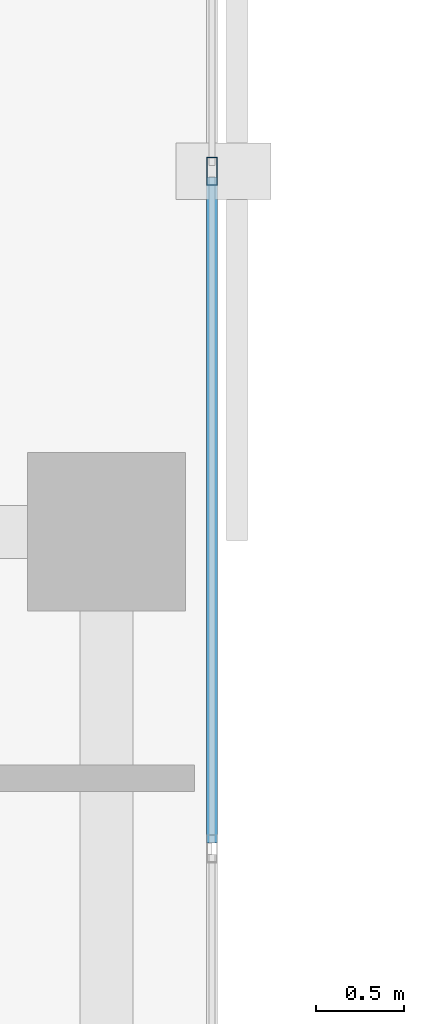
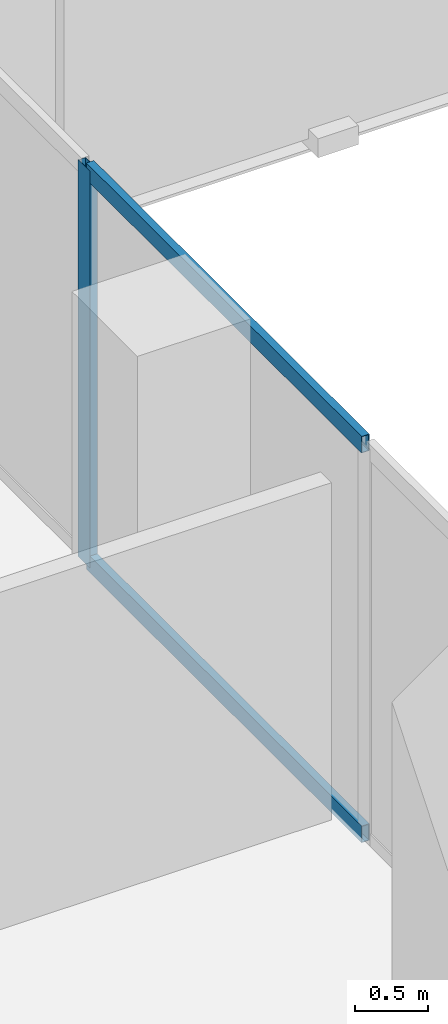
# One storey, part 8 of 34: 3 members, 1 element without a shape of its own.
"""IFC4 building model written with IfcOpenShell, lengths in metres."""

from ifc_helpers import new_model, si_unit, direction, frame, origin, origin_2d, place, context, subcontext, project, spatial, hollow_rectangle, extrude, material, layer, layer_set, material_profile, profile_set, type_object, element, aggregate, save


model = new_model("IFC4")

# Units and contexts
model_context = context("Model", 3, precision=1e-05, world=origin(), true_north=direction((0.0, 1.0)))
body_context = subcontext(model_context, "Body", "Model", "MODEL_VIEW")
ifc_project = project(units=[si_unit("LENGTHUNIT", "METRE"), si_unit("AREAUNIT", "SQUARE_METRE"), si_unit("VOLUMEUNIT", "CUBIC_METRE"), si_unit("PLANEANGLEUNIT", "RADIAN"), si_unit("MASSUNIT", "GRAM", prefix="KILO")], contexts=[model_context])

# Site, building, storey
site_placement = place(None, origin())
site = spatial("IfcSite", under=ifc_project, at=site_placement, CompositionType="ELEMENT")
building_placement = place(site_placement, origin())
building = spatial("IfcBuilding", under=site, at=building_placement, Name="Catumbela Crestline Tower", CompositionType="ELEMENT")
storey_placement = place(building_placement, frame((0.0, 0.0, 97.2)))
storey = spatial("IfcBuildingStorey", under=building, at=storey_placement, Name="L24", CompositionType="ELEMENT", Elevation=97.2)

# Curtain wall, members
ifc_material = material(Name="Aluminium alloy AW-6060-T66", Category="aluminium")
ifc_layer = layer(ifc_material, 0.18, Name="Aluminium alloy AW-6060-T66")
ifc_layer_set = layer_set([ifc_layer], Name="Aluminium alloy AW-6060-T66")
curtain_wall_type = type_object("IfcCurtainWallType", Name="CWU-Z2", PredefinedType="USERDEFINED", material=ifc_layer_set)
curtain_wall_placement = place(storey_placement, origin())
curtain_wall = element("IfcCurtainWall", 1, at=curtain_wall_placement, inside=storey, type_object=curtain_wall_type, Name="L24 Unitised Curtain Wall CW-L24-E2S1", ObjectType="UNITISED", PredefinedType="USERDEFINED")
ifc_material_profile_1 = material_profile(ifc_material, hollow_rectangle(XDim=0.06, YDim=0.16, WallThickness=0.004, at=origin_2d()), Name="ALU 160x60x4")
ifc_profile_set_1 = profile_set([ifc_material_profile_1], Name="Aluminium alloy AW-6060-T66")
member_type_1 = type_object("IfcMemberType", Name="MUL-160X60", PredefinedType="MULLION", material=ifc_profile_set_1)
member_1_placement = place(storey_placement, frame((24.0, 20.05, 0.0), z_axis=(0.0, 0.0, 1.0), x_axis=(-1.0, 0.0, 0.0)))
member_1 = element("IfcMember", 2, at=member_1_placement, type_object=member_type_1, Name="CWU-Z2 mullion 4", PredefinedType="MULLION", context=body_context, shape_type="SweptSolid", body=[
    extrude(hollow_rectangle(XDim=0.06, YDim=0.16, WallThickness=0.004, at=origin_2d()), origin(), (0.0, 0.0, 1.0), 3.33),
])
ifc_material_profile_2 = material_profile(ifc_material, hollow_rectangle(XDim=0.06, YDim=0.14, WallThickness=0.004, at=origin_2d()), Name="ALU 140x60x4")
ifc_profile_set_2 = profile_set([ifc_material_profile_2], Name="Aluminium alloy AW-6060-T66")
member_type_2 = type_object("IfcMemberType", Name="TRN-140X60", PredefinedType="USERDEFINED", material=ifc_profile_set_2)
member_2_placement = place(storey_placement, frame((24.0, 16.2325, 0.03), z_axis=(0.0, 1.0, 0.0), x_axis=(-1.0, 0.0, 0.0)))
member_2 = element("IfcMember", 3, at=member_2_placement, type_object=member_type_2, Name="CWU-Z2 transom 3.1", ObjectType="TRANSOM", PredefinedType="USERDEFINED", context=body_context, shape_type="SweptSolid", body=[
    extrude(hollow_rectangle(XDim=0.06, YDim=0.14, WallThickness=0.004, at=origin_2d()), origin(), (0.0, 0.0, 1.0), 3.785),
])
member_3_placement = place(storey_placement, frame((24.0, 16.2325, 3.3), z_axis=(0.0, 1.0, 0.0), x_axis=(-1.0, 0.0, 0.0)))
member_3 = element("IfcMember", 4, at=member_3_placement, type_object=member_type_2, Name="CWU-Z2 transom 3.2", ObjectType="TRANSOM", PredefinedType="USERDEFINED", context=body_context, shape_type="SweptSolid", body=[
    extrude(hollow_rectangle(XDim=0.06, YDim=0.14, WallThickness=0.004, at=origin_2d()), origin(), (0.0, 0.0, 1.0), 3.785),
])
aggregate(curtain_wall, [member_1, member_2, member_3])

save(model, "model.ifc")
